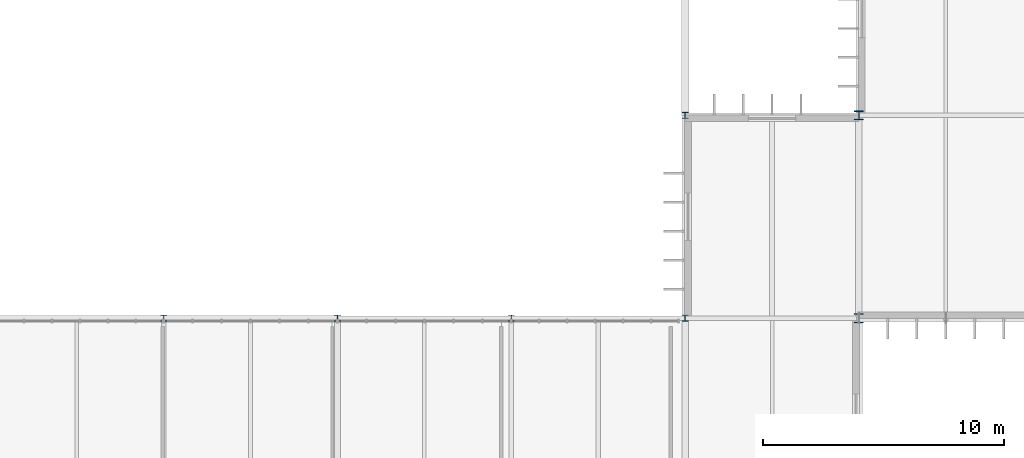
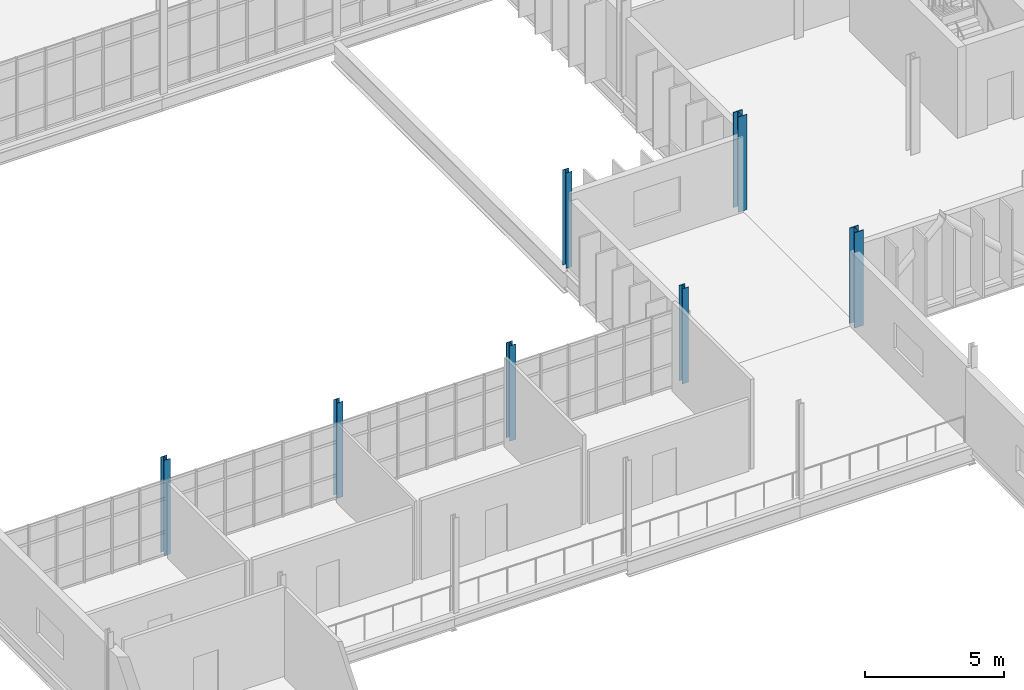
# One storey, part 10 of 119: 7 columns.
"""IFC4 building model written with IfcOpenShell, lengths in metres."""

from ifc_helpers import new_model, si_unit, direction, frame, origin, origin_2d, place, context, subcontext, project, spatial, i_section, extrude, material, material_profile, profile_set, type_object, element, save


model = new_model("IFC4")

# Units and contexts
model_context = context("Model", 3, precision=1e-05, world=origin(), true_north=direction((0.0, 1.0)))
body_context = subcontext(model_context, "Body", "Model", "MODEL_VIEW")
ifc_project = project(units=[si_unit("LENGTHUNIT", "METRE"), si_unit("AREAUNIT", "SQUARE_METRE"), si_unit("VOLUMEUNIT", "CUBIC_METRE"), si_unit("PLANEANGLEUNIT", "RADIAN"), si_unit("MASSUNIT", "GRAM", prefix="KILO")], contexts=[model_context])

# Site, building, storey
site_placement = place(None, origin())
site = spatial("IfcSite", under=ifc_project, at=site_placement, CompositionType="ELEMENT")
building_placement = place(site_placement, origin())
building = spatial("IfcBuilding", under=site, at=building_placement, Name="Qelthora Terrace Specialist Clinic", CompositionType="ELEMENT")
storey_placement = place(building_placement, frame((0.0, 0.0, 4.800048828125)))
storey = spatial("IfcBuildingStorey", under=building, at=storey_placement, Name="L01", CompositionType="ELEMENT", Elevation=4.800048828125)

# Columns
ifc_material = material(Name="Steel S355", Category="steel")
ifc_material_profile_1 = material_profile(ifc_material, i_section(OverallWidth=0.2548828125, OverallDepth=0.256103515625, WebThickness=0.009521484375, FlangeThickness=0.015625, FilletRadius=0.012939453125, at=origin_2d()), Name="W250X80")
ifc_profile_set_1 = profile_set([ifc_material_profile_1], Name="Steel S355")
column_type_1 = type_object("IfcColumnType", Name="COL-W250X80", PredefinedType="COLUMN", material=ifc_profile_set_1)
column_1_placement = place(storey_placement, frame((86.39990234375, 42.0, 0.0), z_axis=(0.0, 0.0, 1.0), x_axis=(1.0, 0.0, 0.0)))
element("IfcColumn", 1, at=column_1_placement, inside=storey, type_object=column_type_1, Name="Column L01-141", PredefinedType="COLUMN", context=body_context, shape_type="SweptSolid", body=[
    extrude(i_section(OverallWidth=0.2548828125, OverallDepth=0.256103515625, WebThickness=0.009521484375, FlangeThickness=0.015625, FilletRadius=0.012939453125, at=origin_2d()), origin(), (0.0, 0.0, 1.0), 4.199951171875),
])
ifc_material_profile_2 = material_profile(ifc_material, i_section(OverallWidth=0.256103515625, OverallDepth=0.260009765625, WebThickness=0.0107421875, FlangeThickness=0.017333984375, FilletRadius=0.012939453125, at=origin_2d()), Name="W250X89")
ifc_profile_set_2 = profile_set([ifc_material_profile_2], Name="Steel S355")
column_type_2 = type_object("IfcColumnType", Name="COL-W250X89", PredefinedType="COLUMN", material=ifc_profile_set_2)
for number, where, z_axis, x_axis, name in (
    (2, (64.800048828125, 33.60009765625, 0.0), (0.0, 0.0, 1.0), (1.0, 0.0, 0.0), "Column L01-116"),
    (3, (72.0, 33.60009765625, 0.0), (0.0, 0.0, 1.0), (1.0, 0.0, 0.0), "Column L01-124"),
    (4, (79.199951171875, 33.60009765625, 0.0), (0.0, 0.0, 1.0), (1.0, 0.0, 0.0), "Column L01-132"),
    (5, (86.39990234375, 33.60009765625, 0.0), (0.0, 0.0, 1.0), (1.0, 0.0, 0.0), "Column L01-140"),
):
    element("IfcColumn", number, at=place(storey_placement, frame(where, z_axis=z_axis, x_axis=x_axis)), inside=storey, type_object=column_type_2, Name=name, PredefinedType="COLUMN", context=body_context, shape_type="SweptSolid", body=[
        extrude(i_section(OverallWidth=0.256103515625, OverallDepth=0.260009765625, WebThickness=0.0107421875, FlangeThickness=0.017333984375, FilletRadius=0.012939453125, at=origin_2d()), origin(), (0.0, 0.0, 1.0), 4.199951171875),
    ])
ifc_material_profile_3 = material_profile(ifc_material, i_section(OverallWidth=0.37109375, OverallDepth=0.364013671875, WebThickness=0.01318359375, FlangeThickness=0.021728515625, FilletRadius=0.02001953125, at=origin_2d()), Name="W360X162")
ifc_profile_set_3 = profile_set([ifc_material_profile_3], Name="Steel S355")
column_type_3 = type_object("IfcColumnType", Name="COL-W360X162", PredefinedType="COLUMN", material=ifc_profile_set_3)
column_2_placement = place(storey_placement, frame((93.60009765625, 42.0, 0.0), z_axis=(0.0, 0.0, 1.0), x_axis=(1.0, 0.0, 0.0)))
element("IfcColumn", 6, at=column_2_placement, inside=storey, type_object=column_type_3, Name="Column L01-152", PredefinedType="COLUMN", context=body_context, shape_type="SweptSolid", body=[
    extrude(i_section(OverallWidth=0.37109375, OverallDepth=0.364013671875, WebThickness=0.01318359375, FlangeThickness=0.021728515625, FilletRadius=0.02001953125, at=origin_2d()), origin(), (0.0, 0.0, 1.0), 4.199951171875),
])
ifc_material_profile_4 = material_profile(ifc_material, i_section(OverallWidth=0.373046875, OverallDepth=0.367919921875, WebThickness=0.014892578125, FlangeThickness=0.02392578125, FilletRadius=0.02001953125, at=origin_2d()), Name="W360X179")
ifc_profile_set_4 = profile_set([ifc_material_profile_4], Name="Steel S355")
column_type_4 = type_object("IfcColumnType", Name="COL-W360X179", PredefinedType="COLUMN", material=ifc_profile_set_4)
column_3_placement = place(storey_placement, frame((93.60009765625, 33.60009765625, 0.0), z_axis=(0.0, 0.0, 1.0), x_axis=(1.0, 0.0, 0.0)))
element("IfcColumn", 7, at=column_3_placement, inside=storey, type_object=column_type_4, Name="Column L01-151", PredefinedType="COLUMN", context=body_context, shape_type="SweptSolid", body=[
    extrude(i_section(OverallWidth=0.373046875, OverallDepth=0.367919921875, WebThickness=0.014892578125, FlangeThickness=0.02392578125, FilletRadius=0.02001953125, at=origin_2d()), origin(), (0.0, 0.0, 1.0), 4.199951171875),
])

save(model, "model.ifc")
